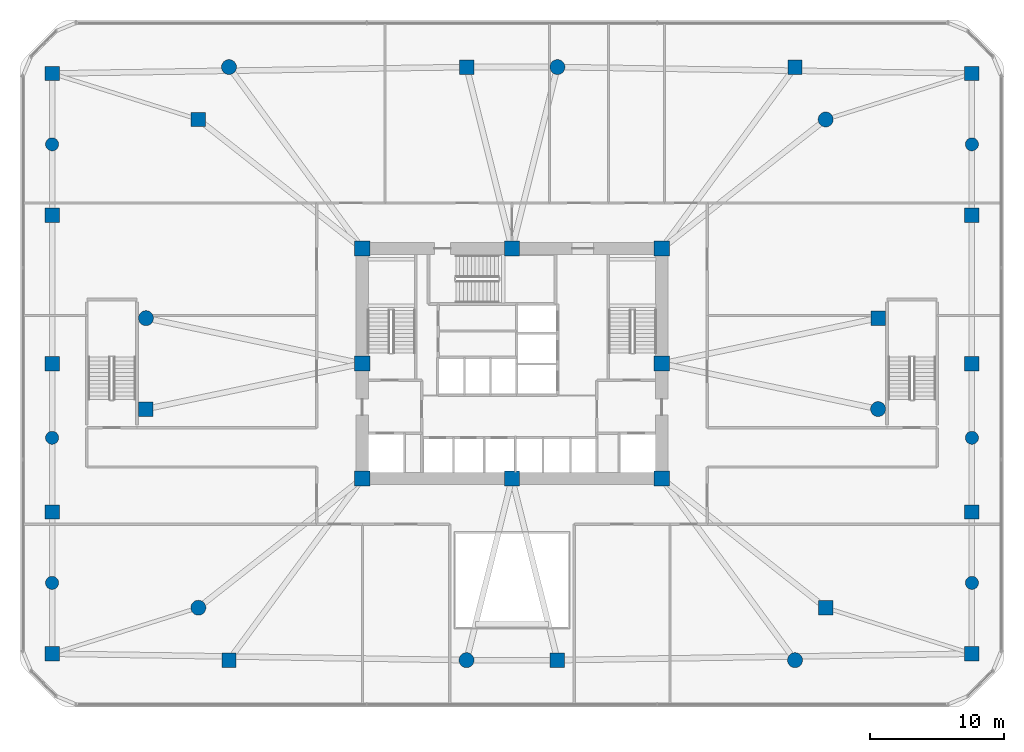
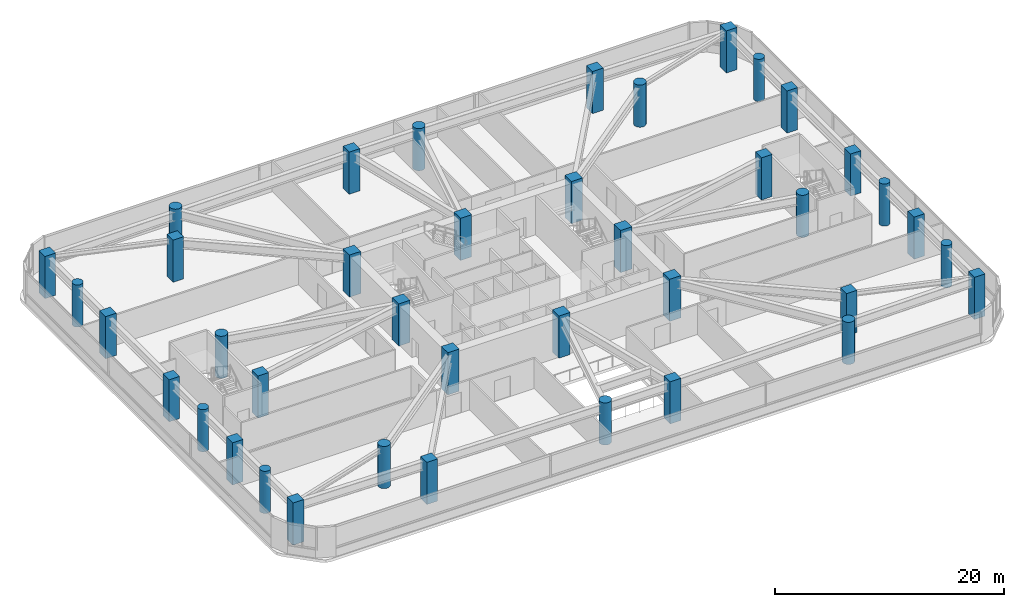
# One storey, part 1 of 21: 40 columns.
"""IFC4 building model written with IfcOpenShell, lengths in metres."""

from ifc_helpers import new_model, si_unit, derived_unit, direction, frame, origin, origin_2d, place, context, subcontext, project, spatial, rectangle, circle, extrude, material, material_profile, profile_set, type_object, element, save


model = new_model("IFC4")

# Units and contexts
model_context = context("Model", 3, precision=1e-05, world=origin(), true_north=direction((0.0, 1.0)))
body_context = subcontext(model_context, "Body", "Model", "MODEL_VIEW")
ifc_project = project(units=[si_unit("LENGTHUNIT", "METRE"), si_unit("AREAUNIT", "SQUARE_METRE"), si_unit("VOLUMEUNIT", "CUBIC_METRE"), si_unit("PLANEANGLEUNIT", "RADIAN"), si_unit("MASSUNIT", "GRAM", prefix="KILO"), derived_unit("THERMALTRANSMITTANCEUNIT", [(si_unit("POWERUNIT", "WATT"), 1), (si_unit("LENGTHUNIT", "METRE"), -2), (si_unit("THERMODYNAMICTEMPERATUREUNIT", "KELVIN"), -1)])], contexts=[model_context])

# Site, building, storey
site_placement = place(None, origin())
site = spatial("IfcSite", under=ifc_project, at=site_placement, CompositionType="ELEMENT")
building_placement = place(site_placement, origin())
building = spatial("IfcBuilding", under=site, at=building_placement, Name="Koralith Skygarden Medical Center", CompositionType="ELEMENT")
storey_placement = place(building_placement, frame((0.0, 0.0, 5.39990234375)))
storey = spatial("IfcBuildingStorey", under=building, at=storey_placement, Name="L01", CompositionType="ELEMENT", Elevation=5.39990234375)

# Columns
ifc_material_1 = material(Name="Concrete C55/67", Category="concrete")
ifc_material_profile_1 = material_profile(ifc_material_1, circle(Radius=0.489990234375, at=origin_2d()), Name="RCCOL980")
ifc_profile_set_1 = profile_set([ifc_material_profile_1], Name="Concrete C55/67")
column_type_1 = type_object("IfcColumnType", Name="Concourse Entrance Pilaster C55 D980", PredefinedType="PILASTER", material=ifc_profile_set_1)
for number, where, z_axis, x_axis, name in (
    (1, (2.60009765625, 9.5, 0.0), (0.0, 0.0, 1.0), (1.0, 0.0, 0.0), "L01 Concourse Entrance Pilaster PL-01"),
    (2, (2.60009765625, 20.35009765625, 0.0), (0.0, 0.0, 1.0), (1.0, 0.0, 0.0), "L01 Concourse Entrance Pilaster PL-02"),
    (3, (2.60009765625, 42.300048828125, 0.0), (0.0, 0.0, 1.0), (1.0, 0.0, 0.0), "L01 Concourse Entrance Pilaster PL-03"),
    (4, (71.39990234375, 9.5, 0.0), (0.0, 0.0, 1.0), (1.0, 0.0, 0.0), "L01 Concourse Entrance Pilaster PL-04"),
    (5, (71.39990234375, 20.35009765625, 0.0), (0.0, 0.0, 1.0), (1.0, 0.0, 0.0), "L01 Concourse Entrance Pilaster PL-05"),
    (6, (71.39990234375, 42.300048828125, 0.0), (0.0, 0.0, 1.0), (1.0, 0.0, 0.0), "L01 Concourse Entrance Pilaster PL-06"),
):
    element("IfcColumn", number, at=place(storey_placement, frame(where, z_axis=z_axis, x_axis=x_axis)), inside=storey, type_object=column_type_1, Name=name, PredefinedType="PILASTER", context=body_context, shape_type="SweptSolid", body=[
        extrude(circle(Radius=0.489990234375, at=origin_2d()), origin(), (0.0, 0.0, 1.0), 4.5),
    ])
ifc_material_2 = material(Name="Concrete C70/85", Category="concrete")
ifc_material_profile_2 = material_profile(ifc_material_2, rectangle(XDim=1.139892578125, YDim=1.139892578125, at=origin_2d()), Name="RC1140X1140")
ifc_profile_set_2 = profile_set([ifc_material_profile_2], Name="Concrete C70/85")
column_type_2 = type_object("IfcColumnType", Name="Core Mega-Column C70 RC1140", PredefinedType="COLUMN", material=ifc_profile_set_2)
for number, where, z_axis, x_axis, name in (
    (7, (25.800048828125, 17.300048828125, 0.0), (0.0, 0.0, 1.0), (1.0, 0.0, 0.0), "L01 Core Column CC-01"),
    (8, (37.0, 17.300048828125, 0.0), (0.0, 0.0, 1.0), (1.0, 0.0, 0.0), "L01 Core Column CC-02"),
    (9, (48.199951171875, 17.300048828125, 0.0), (0.0, 0.0, 1.0), (1.0, 0.0, 0.0), "L01 Core Column CC-03"),
    (10, (48.199951171875, 25.89990234375, 0.0), (0.0, 0.0, 1.0), (1.0, 0.0, 0.0), "L01 Core Column CC-04"),
    (11, (48.199951171875, 34.5, 0.0), (0.0, 0.0, 1.0), (1.0, 0.0, 0.0), "L01 Core Column CC-05"),
    (12, (37.0, 34.5, 0.0), (0.0, 0.0, 1.0), (1.0, 0.0, 0.0), "L01 Core Column CC-06"),
    (13, (25.800048828125, 34.5, 0.0), (0.0, 0.0, 1.0), (1.0, 0.0, 0.0), "L01 Core Column CC-07"),
    (14, (25.800048828125, 25.89990234375, 0.0), (0.0, 0.0, 1.0), (1.0, 0.0, 0.0), "L01 Core Column CC-08"),
):
    element("IfcColumn", number, at=place(storey_placement, frame(where, z_axis=z_axis, x_axis=x_axis)), inside=storey, type_object=column_type_2, Name=name, PredefinedType="COLUMN", context=body_context, shape_type="SweptSolid", body=[
        extrude(rectangle(XDim=1.139892578125, YDim=1.139892578125, at=origin_2d()), origin(), (0.0, 0.0, 1.0), 4.5),
    ])
ifc_material_profile_3 = material_profile(ifc_material_2, rectangle(XDim=1.080078125, YDim=1.080078125, at=origin_2d()), Name="RC1080X1080")
ifc_profile_set_3 = profile_set([ifc_material_profile_3], Name="Concrete C70/85")
column_type_3 = type_object("IfcColumnType", Name="Podium Perimeter Column C70 RC1080", PredefinedType="COLUMN", material=ifc_profile_set_3)
for number, where, z_axis, x_axis, name in (
    (15, (2.60009765625, 4.199951171875, 0.0), (0.0, 0.0, 1.0), (1.0, 0.0, 0.0), "L01 Podium Perimeter Column PC-01"),
    (16, (2.60009765625, 14.800048828125, 0.0), (0.0, 0.0, 1.0), (1.0, 0.0, 0.0), "L01 Podium Perimeter Column PC-02"),
    (17, (2.60009765625, 25.89990234375, 0.0), (0.0, 0.0, 1.0), (1.0, 0.0, 0.0), "L01 Podium Perimeter Column PC-03"),
    (18, (2.60009765625, 37.0, 0.0), (0.0, 0.0, 1.0), (1.0, 0.0, 0.0), "L01 Podium Perimeter Column PC-04"),
    (19, (2.60009765625, 47.60009765625, 0.0), (0.0, 0.0, 1.0), (1.0, 0.0, 0.0), "L01 Podium Perimeter Column PC-05"),
    (20, (71.39990234375, 4.199951171875, 0.0), (0.0, 0.0, 1.0), (1.0, 0.0, 0.0), "L01 Podium Perimeter Column PC-06"),
    (21, (71.39990234375, 14.800048828125, 0.0), (0.0, 0.0, 1.0), (1.0, 0.0, 0.0), "L01 Podium Perimeter Column PC-07"),
    (22, (71.39990234375, 25.89990234375, 0.0), (0.0, 0.0, 1.0), (1.0, 0.0, 0.0), "L01 Podium Perimeter Column PC-08"),
    (23, (71.39990234375, 37.0, 0.0), (0.0, 0.0, 1.0), (1.0, 0.0, 0.0), "L01 Podium Perimeter Column PC-09"),
    (24, (71.39990234375, 47.60009765625, 0.0), (0.0, 0.0, 1.0), (1.0, 0.0, 0.0), "L01 Podium Perimeter Column PC-10"),
):
    element("IfcColumn", number, at=place(storey_placement, frame(where, z_axis=z_axis, x_axis=x_axis)), inside=storey, type_object=column_type_3, Name=name, PredefinedType="COLUMN", context=body_context, shape_type="SweptSolid", body=[
        extrude(rectangle(XDim=1.080078125, YDim=1.080078125, at=origin_2d()), origin(), (0.0, 0.0, 1.0), 4.5),
    ])
ifc_material_profile_4 = material_profile(ifc_material_2, circle(Radius=0.56005859375, at=origin_2d()), Name="RCCOL1120")
ifc_profile_set_4 = profile_set([ifc_material_profile_4], Name="Concrete C70/85")
column_type_4 = type_object("IfcColumnType", Name="Station Round Mega-Column C70 D1120", PredefinedType="COLUMN", material=ifc_profile_set_4)
for number, where, z_axis, x_axis, name in (
    (25, (13.5400390625, 7.639892578125, 0.0), (0.0, 0.0, 1.0), (1.0, 0.0, 0.0), "L01 Tower Base Mega-Column TB-02"),
    (26, (33.60009765625, 3.719970703125, 0.0), (0.0, 0.0, 1.0), (1.0, 0.0, 0.0), "L01 Tower Base Mega-Column TB-04"),
    (27, (58.16796875, 3.719970703125, 0.0), (0.0, 0.0, 1.0), (1.0, 0.0, 0.0), "L01 Tower Base Mega-Column TB-06"),
    (28, (64.3798828125, 22.5, 0.0), (0.0, 0.0, 1.0), (1.0, 0.0, 0.0), "L01 Tower Base Mega-Column TB-08"),
    (29, (60.4599609375, 44.159912109375, 0.0), (0.0, 0.0, 1.0), (1.0, 0.0, 0.0), "L01 Tower Base Mega-Column TB-10"),
    (30, (40.39990234375, 48.080078125, 0.0), (0.0, 0.0, 1.0), (1.0, 0.0, 0.0), "L01 Tower Base Mega-Column TB-12"),
    (31, (15.83203125, 48.080078125, 0.0), (0.0, 0.0, 1.0), (1.0, 0.0, 0.0), "L01 Tower Base Mega-Column TB-14"),
    (32, (9.6201171875, 29.300048828125, 0.0), (0.0, 0.0, 1.0), (1.0, 0.0, 0.0), "L01 Tower Base Mega-Column TB-16"),
):
    element("IfcColumn", number, at=place(storey_placement, frame(where, z_axis=z_axis, x_axis=x_axis)), inside=storey, type_object=column_type_4, Name=name, PredefinedType="COLUMN", context=body_context, shape_type="SweptSolid", body=[
        extrude(circle(Radius=0.56005859375, at=origin_2d()), origin(), (0.0, 0.0, 1.0), 4.5),
    ])
ifc_material_profile_5 = material_profile(ifc_material_2, rectangle(XDim=1.080078125, YDim=1.080078125, at=origin_2d()), Name="RC1080X1080")
ifc_profile_set_5 = profile_set([ifc_material_profile_5], Name="Concrete C70/85")
column_type_5 = type_object("IfcColumnType", Name="Zone 1 Octagonal Mega-Column C70 RC1080", PredefinedType="COLUMN", material=ifc_profile_set_5)
for number, where, z_axis, x_axis, name in (
    (33, (9.6201171875, 22.5, 0.0), (0.0, 0.0, 1.0), (1.0, 0.0, 0.0), "L01 Tower Base Mega-Column TB-01"),
    (34, (15.83203125, 3.719970703125, 0.0), (0.0, 0.0, 1.0), (1.0, 0.0, 0.0), "L01 Tower Base Mega-Column TB-03"),
    (35, (40.39990234375, 3.719970703125, 0.0), (0.0, 0.0, 1.0), (1.0, 0.0, 0.0), "L01 Tower Base Mega-Column TB-05"),
    (36, (60.4599609375, 7.639892578125, 0.0), (0.0, 0.0, 1.0), (1.0, 0.0, 0.0), "L01 Tower Base Mega-Column TB-07"),
    (37, (64.3798828125, 29.300048828125, 0.0), (0.0, 0.0, 1.0), (1.0, 0.0, 0.0), "L01 Tower Base Mega-Column TB-09"),
    (38, (58.16796875, 48.080078125, 0.0), (0.0, 0.0, 1.0), (1.0, 0.0, 0.0), "L01 Tower Base Mega-Column TB-11"),
    (39, (33.60009765625, 48.080078125, 0.0), (0.0, 0.0, 1.0), (1.0, 0.0, 0.0), "L01 Tower Base Mega-Column TB-13"),
    (40, (13.5400390625, 44.159912109375, 0.0), (0.0, 0.0, 1.0), (1.0, 0.0, 0.0), "L01 Tower Base Mega-Column TB-15"),
):
    element("IfcColumn", number, at=place(storey_placement, frame(where, z_axis=z_axis, x_axis=x_axis)), inside=storey, type_object=column_type_5, Name=name, PredefinedType="COLUMN", context=body_context, shape_type="SweptSolid", body=[
        extrude(rectangle(XDim=1.080078125, YDim=1.080078125, at=origin_2d()), origin(), (0.0, 0.0, 1.0), 4.5),
    ])

save(model, "model.ifc")
